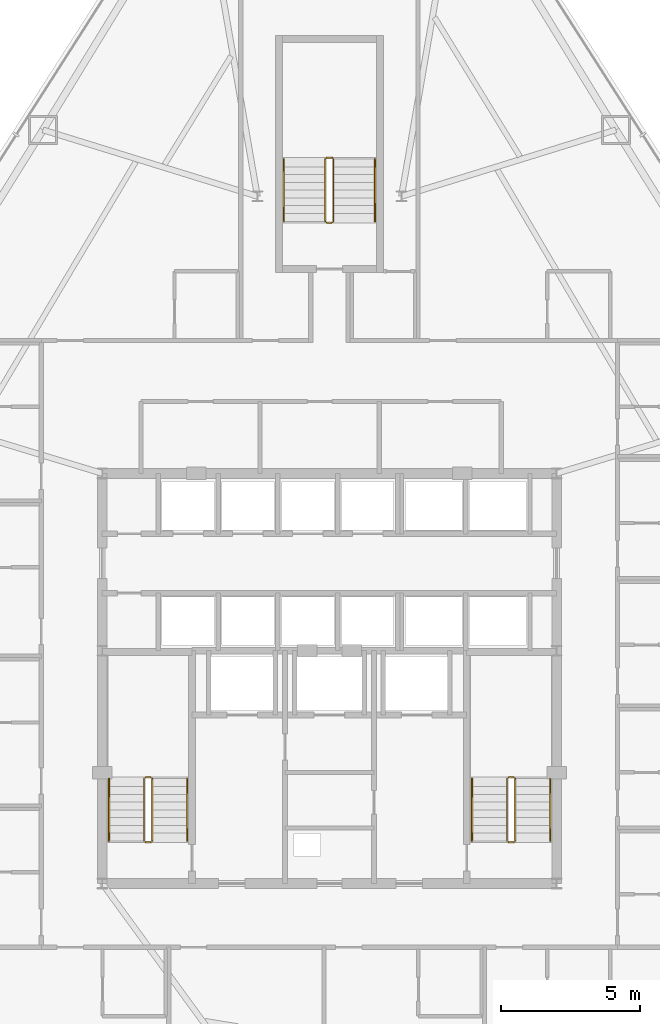
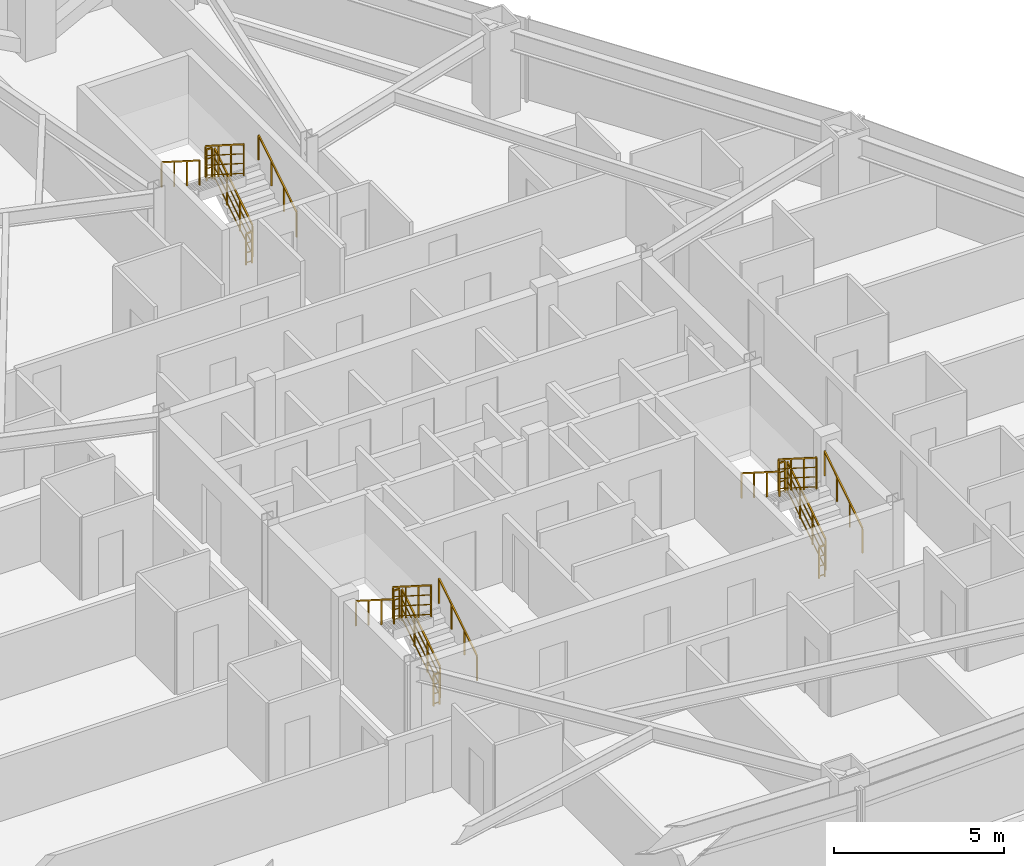
# One storey, part 13 of 13: 18 railings.
"""IFC4 building model written with IfcOpenShell, lengths in metres."""

from ifc_helpers import new_model, si_unit, direction, frame, origin, origin_2d, place, context, subcontext, project, spatial, rectangle, extrude, material, type_object, element, save


model = new_model("IFC4")

# Units and contexts
model_context = context("Model", 3, precision=1e-05, world=origin(), true_north=direction((0.0, 1.0)))
body_context = subcontext(model_context, "Body", "Model", "MODEL_VIEW")
ifc_project = project(units=[si_unit("LENGTHUNIT", "METRE"), si_unit("AREAUNIT", "SQUARE_METRE"), si_unit("VOLUMEUNIT", "CUBIC_METRE"), si_unit("PLANEANGLEUNIT", "RADIAN"), si_unit("MASSUNIT", "GRAM", prefix="KILO")], contexts=[model_context])

# Site, building, storey
site_placement = place(None, origin())
site = spatial("IfcSite", under=ifc_project, at=site_placement, CompositionType="ELEMENT")
building_placement = place(site_placement, origin())
building = spatial("IfcBuilding", under=site, at=building_placement, Name="Varakhsha Concourse Tower", CompositionType="ELEMENT")
storey_placement = place(building_placement, frame((0.0, 0.0, 83.0)))
storey = spatial("IfcBuildingStorey", under=building, at=storey_placement, Name="L23", CompositionType="ELEMENT", Elevation=83.0)

# Railings
ifc_material = material(Name="Brushed Austenitic Stainless Steel AISI 316", Category="steel")
railing_type_1 = type_object("IfcRailingType", Name="RL-STAIR-GUARD-1100", PredefinedType="GUARDRAIL", material=ifc_material)
railing_1_placement = place(storey_placement, frame((33.610107421875, 17.93994140625, 0.177734375)))
element("IfcRailing", 1, at=railing_1_placement, inside=storey, type_object=railing_type_1, Name="L23 ST1 stair guard 1", PredefinedType="GUARDRAIL", context=body_context, shape_type="SweptSolid", body=[
    extrude(rectangle(XDim=0.048095703125, YDim=0.048095703125, at=origin_2d()), frame((0.0, 0.0, 1.1259765625), z_axis=(0.0, 0.84418770128, 0.536047689118), x_axis=(-1.0, 0.0, 0.0)), (0.0, 0.0, 1.0), 2.6533203125),
    extrude(rectangle(XDim=0.028076171875, YDim=0.028076171875, at=origin_2d()), frame((0.0, 0.0, 0.080078125), z_axis=(0.0, 0.84418770128, 0.536047689118), x_axis=(-1.0, 0.0, 0.0)), (0.0, 0.0, 1.0), 2.6533203125),
    extrude(rectangle(XDim=0.028076171875, YDim=0.028076171875, at=origin_2d()), frame((0.0, 0.0, 0.43701171875), z_axis=(0.0, 0.84418770128, 0.536047689118), x_axis=(-1.0, 0.0, 0.0)), (0.0, 0.0, 1.0), 2.6533203125),
    extrude(rectangle(XDim=0.028076171875, YDim=0.028076171875, at=origin_2d()), frame((0.0, 0.0, 0.781982421875), z_axis=(0.0, 0.84418770128, 0.536047689118), x_axis=(-1.0, 0.0, 0.0)), (0.0, 0.0, 1.0), 2.6533203125),
    extrude(rectangle(XDim=0.0419921875, YDim=0.0419921875, at=origin_2d()), origin(), (0.0, 0.0, 1.0), 1.101806640625),
    extrude(rectangle(XDim=0.0419921875, YDim=0.0419921875, at=origin_2d()), frame((0.0, 0.74658203125, 0.47412109375)), (0.0, 0.0, 1.0), 1.101806640625),
    extrude(rectangle(XDim=0.0419921875, YDim=0.0419921875, at=origin_2d()), frame((0.0, 1.493408203125, 0.9482421875)), (0.0, 0.0, 1.0), 1.101806640625),
    extrude(rectangle(XDim=0.0419921875, YDim=0.0419921875, at=origin_2d()), frame((0.0, 2.239990234375, 1.42236328125)), (0.0, 0.0, 1.0), 1.101806640625),
])
railing_2_placement = place(storey_placement, frame((33.56005859375, 20.22998046875, 1.60009765625)))
element("IfcRailing", 2, at=railing_2_placement, inside=storey, type_object=railing_type_1, Name="L23 ST1 stair guard 2", PredefinedType="GUARDRAIL", context=body_context, shape_type="SweptSolid", body=[
    extrude(rectangle(XDim=0.048095703125, YDim=0.048095703125, at=origin_2d()), frame((0.0, 0.0, 1.1259765625), z_axis=(-1.0, 0.0, 0.0), x_axis=(0.0, -1.0, 0.0)), (0.0, 0.0, 1.0), 0.199951171875),
    extrude(rectangle(XDim=0.028076171875, YDim=0.028076171875, at=origin_2d()), frame((0.0, 0.0, 0.080078125), z_axis=(-1.0, 0.0, 0.0), x_axis=(0.0, -1.0, 0.0)), (0.0, 0.0, 1.0), 0.199951171875),
    extrude(rectangle(XDim=0.028076171875, YDim=0.028076171875, at=origin_2d()), frame((0.0, 0.0, 0.43701171875), z_axis=(-1.0, 0.0, 0.0), x_axis=(0.0, -1.0, 0.0)), (0.0, 0.0, 1.0), 0.199951171875),
    extrude(rectangle(XDim=0.028076171875, YDim=0.028076171875, at=origin_2d()), frame((0.0, 0.0, 0.781982421875), z_axis=(-1.0, 0.0, 0.0), x_axis=(0.0, -1.0, 0.0)), (0.0, 0.0, 1.0), 0.199951171875),
    extrude(rectangle(XDim=0.0419921875, YDim=0.0419921875, at=origin_2d()), origin(), (0.0, 0.0, 1.0), 1.101806640625),
    extrude(rectangle(XDim=0.0419921875, YDim=0.0419921875, at=origin_2d()), frame((-0.199951171875, 0.0, 0.0)), (0.0, 0.0, 1.0), 1.101806640625),
])
railing_3_placement = place(storey_placement, frame((33.31005859375, 20.179931640625, 1.77783203125)))
element("IfcRailing", 3, at=railing_3_placement, inside=storey, type_object=railing_type_1, Name="L23 ST1 stair guard 3", PredefinedType="GUARDRAIL", context=body_context, shape_type="SweptSolid", body=[
    extrude(rectangle(XDim=0.048095703125, YDim=0.048095703125, at=origin_2d()), frame((0.0, 0.0, 1.1259765625), z_axis=(0.0, -0.8442293374, 0.53598211339), x_axis=(1.0, 0.0, 0.0)), (0.0, 0.0, 1.0), 2.6533203125),
    extrude(rectangle(XDim=0.028076171875, YDim=0.028076171875, at=origin_2d()), frame((0.0, 0.0, 0.080078125), z_axis=(0.0, -0.8442293374, 0.53598211339), x_axis=(1.0, 0.0, 0.0)), (0.0, 0.0, 1.0), 2.6533203125),
    extrude(rectangle(XDim=0.028076171875, YDim=0.028076171875, at=origin_2d()), frame((0.0, 0.0, 0.43701171875), z_axis=(0.0, -0.8442293374, 0.53598211339), x_axis=(1.0, 0.0, 0.0)), (0.0, 0.0, 1.0), 2.6533203125),
    extrude(rectangle(XDim=0.028076171875, YDim=0.028076171875, at=origin_2d()), frame((0.0, 0.0, 0.781982421875), z_axis=(0.0, -0.8442293374, 0.53598211339), x_axis=(1.0, 0.0, 0.0)), (0.0, 0.0, 1.0), 2.6533203125),
    extrude(rectangle(XDim=0.0419921875, YDim=0.0419921875, at=origin_2d()), origin(), (0.0, 0.0, 1.0), 1.101806640625),
    extrude(rectangle(XDim=0.0419921875, YDim=0.0419921875, at=origin_2d()), frame((0.0, -0.74658203125, 0.47412109375)), (0.0, 0.0, 1.0), 1.101806640625),
    extrude(rectangle(XDim=0.0419921875, YDim=0.0419921875, at=origin_2d()), frame((0.0, -1.493408203125, 0.947998046875)), (0.0, 0.0, 1.0), 1.101806640625),
    extrude(rectangle(XDim=0.0419921875, YDim=0.0419921875, at=origin_2d()), frame((0.0, -2.239990234375, 1.422119140625)), (0.0, 0.0, 1.0), 1.101806640625),
])
railing_4_placement = place(storey_placement, frame((33.56005859375, 17.889892578125, 0.0)))
element("IfcRailing", 4, at=railing_4_placement, inside=storey, type_object=railing_type_1, Name="L23 ST1 stair guard 4", PredefinedType="GUARDRAIL", context=body_context, shape_type="SweptSolid", body=[
    extrude(rectangle(XDim=0.048095703125, YDim=0.048095703125, at=origin_2d()), frame((0.0, 0.0, 1.1259765625), z_axis=(-1.0, 0.0, 0.0), x_axis=(0.0, -1.0, 0.0)), (0.0, 0.0, 1.0), 0.199951171875),
    extrude(rectangle(XDim=0.028076171875, YDim=0.028076171875, at=origin_2d()), frame((0.0, 0.0, 0.080078125), z_axis=(-1.0, 0.0, 0.0), x_axis=(0.0, -1.0, 0.0)), (0.0, 0.0, 1.0), 0.199951171875),
    extrude(rectangle(XDim=0.028076171875, YDim=0.028076171875, at=origin_2d()), frame((0.0, 0.0, 0.43701171875), z_axis=(-1.0, 0.0, 0.0), x_axis=(0.0, -1.0, 0.0)), (0.0, 0.0, 1.0), 0.199951171875),
    extrude(rectangle(XDim=0.028076171875, YDim=0.028076171875, at=origin_2d()), frame((0.0, 0.0, 0.781982421875), z_axis=(-1.0, 0.0, 0.0), x_axis=(0.0, -1.0, 0.0)), (0.0, 0.0, 1.0), 0.199951171875),
    extrude(rectangle(XDim=0.0419921875, YDim=0.0419921875, at=origin_2d()), origin(), (0.0, 0.0, 1.0), 1.101806640625),
    extrude(rectangle(XDim=0.0419921875, YDim=0.0419921875, at=origin_2d()), frame((-0.199951171875, 0.0, 0.0)), (0.0, 0.0, 1.0), 1.101806640625),
])
railing_5_placement = place(storey_placement, frame((46.7099609375, 17.93994140625, 0.177734375)))
element("IfcRailing", 5, at=railing_5_placement, inside=storey, type_object=railing_type_1, Name="L23 ST2 stair guard 1", PredefinedType="GUARDRAIL", context=body_context, shape_type="SweptSolid", body=[
    extrude(rectangle(XDim=0.048095703125, YDim=0.048095703125, at=origin_2d()), frame((0.0, 0.0, 1.1259765625), z_axis=(0.0, 0.84418770128, 0.536047689118), x_axis=(-1.0, 0.0, 0.0)), (0.0, 0.0, 1.0), 2.6533203125),
    extrude(rectangle(XDim=0.028076171875, YDim=0.028076171875, at=origin_2d()), frame((0.0, 0.0, 0.080078125), z_axis=(0.0, 0.84418770128, 0.536047689118), x_axis=(-1.0, 0.0, 0.0)), (0.0, 0.0, 1.0), 2.6533203125),
    extrude(rectangle(XDim=0.028076171875, YDim=0.028076171875, at=origin_2d()), frame((0.0, 0.0, 0.43701171875), z_axis=(0.0, 0.84418770128, 0.536047689118), x_axis=(-1.0, 0.0, 0.0)), (0.0, 0.0, 1.0), 2.6533203125),
    extrude(rectangle(XDim=0.028076171875, YDim=0.028076171875, at=origin_2d()), frame((0.0, 0.0, 0.781982421875), z_axis=(0.0, 0.84418770128, 0.536047689118), x_axis=(-1.0, 0.0, 0.0)), (0.0, 0.0, 1.0), 2.6533203125),
    extrude(rectangle(XDim=0.0419921875, YDim=0.0419921875, at=origin_2d()), origin(), (0.0, 0.0, 1.0), 1.101806640625),
    extrude(rectangle(XDim=0.0419921875, YDim=0.0419921875, at=origin_2d()), frame((0.0, 0.74658203125, 0.47412109375)), (0.0, 0.0, 1.0), 1.101806640625),
    extrude(rectangle(XDim=0.0419921875, YDim=0.0419921875, at=origin_2d()), frame((0.0, 1.493408203125, 0.9482421875)), (0.0, 0.0, 1.0), 1.101806640625),
    extrude(rectangle(XDim=0.0419921875, YDim=0.0419921875, at=origin_2d()), frame((0.0, 2.239990234375, 1.42236328125)), (0.0, 0.0, 1.0), 1.101806640625),
])
railing_6_placement = place(storey_placement, frame((46.659912109375, 20.22998046875, 1.60009765625)))
element("IfcRailing", 6, at=railing_6_placement, inside=storey, type_object=railing_type_1, Name="L23 ST2 stair guard 2", PredefinedType="GUARDRAIL", context=body_context, shape_type="SweptSolid", body=[
    extrude(rectangle(XDim=0.048095703125, YDim=0.048095703125, at=origin_2d()), frame((0.0, 0.0, 1.1259765625), z_axis=(-1.0, 0.0, 0.0), x_axis=(0.0, -1.0, 0.0)), (0.0, 0.0, 1.0), 0.199951171875),
    extrude(rectangle(XDim=0.028076171875, YDim=0.028076171875, at=origin_2d()), frame((0.0, 0.0, 0.080078125), z_axis=(-1.0, 0.0, 0.0), x_axis=(0.0, -1.0, 0.0)), (0.0, 0.0, 1.0), 0.199951171875),
    extrude(rectangle(XDim=0.028076171875, YDim=0.028076171875, at=origin_2d()), frame((0.0, 0.0, 0.43701171875), z_axis=(-1.0, 0.0, 0.0), x_axis=(0.0, -1.0, 0.0)), (0.0, 0.0, 1.0), 0.199951171875),
    extrude(rectangle(XDim=0.028076171875, YDim=0.028076171875, at=origin_2d()), frame((0.0, 0.0, 0.781982421875), z_axis=(-1.0, 0.0, 0.0), x_axis=(0.0, -1.0, 0.0)), (0.0, 0.0, 1.0), 0.199951171875),
    extrude(rectangle(XDim=0.0419921875, YDim=0.0419921875, at=origin_2d()), origin(), (0.0, 0.0, 1.0), 1.101806640625),
    extrude(rectangle(XDim=0.0419921875, YDim=0.0419921875, at=origin_2d()), frame((-0.199951171875, 0.0, 0.0)), (0.0, 0.0, 1.0), 1.101806640625),
])
railing_7_placement = place(storey_placement, frame((46.409912109375, 20.179931640625, 1.77783203125)))
element("IfcRailing", 7, at=railing_7_placement, inside=storey, type_object=railing_type_1, Name="L23 ST2 stair guard 3", PredefinedType="GUARDRAIL", context=body_context, shape_type="SweptSolid", body=[
    extrude(rectangle(XDim=0.048095703125, YDim=0.048095703125, at=origin_2d()), frame((0.0, 0.0, 1.1259765625), z_axis=(0.0, -0.8442293374, 0.53598211339), x_axis=(1.0, 0.0, 0.0)), (0.0, 0.0, 1.0), 2.6533203125),
    extrude(rectangle(XDim=0.028076171875, YDim=0.028076171875, at=origin_2d()), frame((0.0, 0.0, 0.080078125), z_axis=(0.0, -0.8442293374, 0.53598211339), x_axis=(1.0, 0.0, 0.0)), (0.0, 0.0, 1.0), 2.6533203125),
    extrude(rectangle(XDim=0.028076171875, YDim=0.028076171875, at=origin_2d()), frame((0.0, 0.0, 0.43701171875), z_axis=(0.0, -0.8442293374, 0.53598211339), x_axis=(1.0, 0.0, 0.0)), (0.0, 0.0, 1.0), 2.6533203125),
    extrude(rectangle(XDim=0.028076171875, YDim=0.028076171875, at=origin_2d()), frame((0.0, 0.0, 0.781982421875), z_axis=(0.0, -0.8442293374, 0.53598211339), x_axis=(1.0, 0.0, 0.0)), (0.0, 0.0, 1.0), 2.6533203125),
    extrude(rectangle(XDim=0.0419921875, YDim=0.0419921875, at=origin_2d()), origin(), (0.0, 0.0, 1.0), 1.101806640625),
    extrude(rectangle(XDim=0.0419921875, YDim=0.0419921875, at=origin_2d()), frame((0.0, -0.74658203125, 0.47412109375)), (0.0, 0.0, 1.0), 1.101806640625),
    extrude(rectangle(XDim=0.0419921875, YDim=0.0419921875, at=origin_2d()), frame((0.0, -1.493408203125, 0.947998046875)), (0.0, 0.0, 1.0), 1.101806640625),
    extrude(rectangle(XDim=0.0419921875, YDim=0.0419921875, at=origin_2d()), frame((0.0, -2.239990234375, 1.422119140625)), (0.0, 0.0, 1.0), 1.101806640625),
])
railing_8_placement = place(storey_placement, frame((46.659912109375, 17.889892578125, 0.0)))
element("IfcRailing", 8, at=railing_8_placement, inside=storey, type_object=railing_type_1, Name="L23 ST2 stair guard 4", PredefinedType="GUARDRAIL", context=body_context, shape_type="SweptSolid", body=[
    extrude(rectangle(XDim=0.048095703125, YDim=0.048095703125, at=origin_2d()), frame((0.0, 0.0, 1.1259765625), z_axis=(-1.0, 0.0, 0.0), x_axis=(0.0, -1.0, 0.0)), (0.0, 0.0, 1.0), 0.199951171875),
    extrude(rectangle(XDim=0.028076171875, YDim=0.028076171875, at=origin_2d()), frame((0.0, 0.0, 0.080078125), z_axis=(-1.0, 0.0, 0.0), x_axis=(0.0, -1.0, 0.0)), (0.0, 0.0, 1.0), 0.199951171875),
    extrude(rectangle(XDim=0.028076171875, YDim=0.028076171875, at=origin_2d()), frame((0.0, 0.0, 0.43701171875), z_axis=(-1.0, 0.0, 0.0), x_axis=(0.0, -1.0, 0.0)), (0.0, 0.0, 1.0), 0.199951171875),
    extrude(rectangle(XDim=0.028076171875, YDim=0.028076171875, at=origin_2d()), frame((0.0, 0.0, 0.781982421875), z_axis=(-1.0, 0.0, 0.0), x_axis=(0.0, -1.0, 0.0)), (0.0, 0.0, 1.0), 0.199951171875),
    extrude(rectangle(XDim=0.0419921875, YDim=0.0419921875, at=origin_2d()), origin(), (0.0, 0.0, 1.0), 1.101806640625),
    extrude(rectangle(XDim=0.0419921875, YDim=0.0419921875, at=origin_2d()), frame((-0.199951171875, 0.0, 0.0)), (0.0, 0.0, 1.0), 1.101806640625),
])
railing_9_placement = place(storey_placement, frame((40.14990234375, 40.300048828125, 0.177734375)))
element("IfcRailing", 9, at=railing_9_placement, inside=storey, type_object=railing_type_1, Name="L23 ST5 stair guard 1", PredefinedType="GUARDRAIL", context=body_context, shape_type="SweptSolid", body=[
    extrude(rectangle(XDim=0.048095703125, YDim=0.048095703125, at=origin_2d()), frame((0.0, 0.0, 1.1259765625), z_axis=(0.0, 0.84418770128, 0.536047689118), x_axis=(-1.0, 0.0, 0.0)), (0.0, 0.0, 1.0), 2.6533203125),
    extrude(rectangle(XDim=0.028076171875, YDim=0.028076171875, at=origin_2d()), frame((0.0, 0.0, 0.080078125), z_axis=(0.0, 0.84418770128, 0.536047689118), x_axis=(-1.0, 0.0, 0.0)), (0.0, 0.0, 1.0), 2.6533203125),
    extrude(rectangle(XDim=0.028076171875, YDim=0.028076171875, at=origin_2d()), frame((0.0, 0.0, 0.43701171875), z_axis=(0.0, 0.84418770128, 0.536047689118), x_axis=(-1.0, 0.0, 0.0)), (0.0, 0.0, 1.0), 2.6533203125),
    extrude(rectangle(XDim=0.028076171875, YDim=0.028076171875, at=origin_2d()), frame((0.0, 0.0, 0.781982421875), z_axis=(0.0, 0.84418770128, 0.536047689118), x_axis=(-1.0, 0.0, 0.0)), (0.0, 0.0, 1.0), 2.6533203125),
    extrude(rectangle(XDim=0.0419921875, YDim=0.0419921875, at=origin_2d()), origin(), (0.0, 0.0, 1.0), 1.101806640625),
    extrude(rectangle(XDim=0.0419921875, YDim=0.0419921875, at=origin_2d()), frame((0.0, 0.74658203125, 0.47412109375)), (0.0, 0.0, 1.0), 1.101806640625),
    extrude(rectangle(XDim=0.0419921875, YDim=0.0419921875, at=origin_2d()), frame((0.0, 1.493408203125, 0.9482421875)), (0.0, 0.0, 1.0), 1.101806640625),
    extrude(rectangle(XDim=0.0419921875, YDim=0.0419921875, at=origin_2d()), frame((0.0, 2.239990234375, 1.42236328125)), (0.0, 0.0, 1.0), 1.101806640625),
])
railing_10_placement = place(storey_placement, frame((40.10009765625, 42.590087890625, 1.60009765625)))
element("IfcRailing", 10, at=railing_10_placement, inside=storey, type_object=railing_type_1, Name="L23 ST5 stair guard 2", PredefinedType="GUARDRAIL", context=body_context, shape_type="SweptSolid", body=[
    extrude(rectangle(XDim=0.048095703125, YDim=0.048095703125, at=origin_2d()), frame((0.0, 0.0, 1.1259765625), z_axis=(-1.0, 0.0, 0.0), x_axis=(0.0, -1.0, 0.0)), (0.0, 0.0, 1.0), 0.2001953125),
    extrude(rectangle(XDim=0.028076171875, YDim=0.028076171875, at=origin_2d()), frame((0.0, 0.0, 0.080078125), z_axis=(-1.0, 0.0, 0.0), x_axis=(0.0, -1.0, 0.0)), (0.0, 0.0, 1.0), 0.2001953125),
    extrude(rectangle(XDim=0.028076171875, YDim=0.028076171875, at=origin_2d()), frame((0.0, 0.0, 0.43701171875), z_axis=(-1.0, 0.0, 0.0), x_axis=(0.0, -1.0, 0.0)), (0.0, 0.0, 1.0), 0.2001953125),
    extrude(rectangle(XDim=0.028076171875, YDim=0.028076171875, at=origin_2d()), frame((0.0, 0.0, 0.781982421875), z_axis=(-1.0, 0.0, 0.0), x_axis=(0.0, -1.0, 0.0)), (0.0, 0.0, 1.0), 0.2001953125),
    extrude(rectangle(XDim=0.0419921875, YDim=0.0419921875, at=origin_2d()), origin(), (0.0, 0.0, 1.0), 1.101806640625),
    extrude(rectangle(XDim=0.0419921875, YDim=0.0419921875, at=origin_2d()), frame((-0.2001953125, 0.0, 0.0)), (0.0, 0.0, 1.0), 1.101806640625),
])
railing_11_placement = place(storey_placement, frame((39.85009765625, 42.5400390625, 1.77783203125)))
element("IfcRailing", 11, at=railing_11_placement, inside=storey, type_object=railing_type_1, Name="L23 ST5 stair guard 3", PredefinedType="GUARDRAIL", context=body_context, shape_type="SweptSolid", body=[
    extrude(rectangle(XDim=0.048095703125, YDim=0.048095703125, at=origin_2d()), frame((0.0, 0.0, 1.1259765625), z_axis=(0.0, -0.8442293374, 0.53598211339), x_axis=(1.0, 0.0, 0.0)), (0.0, 0.0, 1.0), 2.6533203125),
    extrude(rectangle(XDim=0.028076171875, YDim=0.028076171875, at=origin_2d()), frame((0.0, 0.0, 0.080078125), z_axis=(0.0, -0.8442293374, 0.53598211339), x_axis=(1.0, 0.0, 0.0)), (0.0, 0.0, 1.0), 2.6533203125),
    extrude(rectangle(XDim=0.028076171875, YDim=0.028076171875, at=origin_2d()), frame((0.0, 0.0, 0.43701171875), z_axis=(0.0, -0.8442293374, 0.53598211339), x_axis=(1.0, 0.0, 0.0)), (0.0, 0.0, 1.0), 2.6533203125),
    extrude(rectangle(XDim=0.028076171875, YDim=0.028076171875, at=origin_2d()), frame((0.0, 0.0, 0.781982421875), z_axis=(0.0, -0.8442293374, 0.53598211339), x_axis=(1.0, 0.0, 0.0)), (0.0, 0.0, 1.0), 2.6533203125),
    extrude(rectangle(XDim=0.0419921875, YDim=0.0419921875, at=origin_2d()), origin(), (0.0, 0.0, 1.0), 1.101806640625),
    extrude(rectangle(XDim=0.0419921875, YDim=0.0419921875, at=origin_2d()), frame((0.0, -0.74658203125, 0.47412109375)), (0.0, 0.0, 1.0), 1.101806640625),
    extrude(rectangle(XDim=0.0419921875, YDim=0.0419921875, at=origin_2d()), frame((0.0, -1.493408203125, 0.947998046875)), (0.0, 0.0, 1.0), 1.101806640625),
    extrude(rectangle(XDim=0.0419921875, YDim=0.0419921875, at=origin_2d()), frame((0.0, -2.239990234375, 1.422119140625)), (0.0, 0.0, 1.0), 1.101806640625),
])
railing_12_placement = place(storey_placement, frame((40.10009765625, 40.25, 0.0)))
element("IfcRailing", 12, at=railing_12_placement, inside=storey, type_object=railing_type_1, Name="L23 ST5 stair guard 4", PredefinedType="GUARDRAIL", context=body_context, shape_type="SweptSolid", body=[
    extrude(rectangle(XDim=0.048095703125, YDim=0.048095703125, at=origin_2d()), frame((0.0, 0.0, 1.1259765625), z_axis=(-1.0, 0.0, 0.0), x_axis=(0.0, -1.0, 0.0)), (0.0, 0.0, 1.0), 0.2001953125),
    extrude(rectangle(XDim=0.028076171875, YDim=0.028076171875, at=origin_2d()), frame((0.0, 0.0, 0.080078125), z_axis=(-1.0, 0.0, 0.0), x_axis=(0.0, -1.0, 0.0)), (0.0, 0.0, 1.0), 0.2001953125),
    extrude(rectangle(XDim=0.028076171875, YDim=0.028076171875, at=origin_2d()), frame((0.0, 0.0, 0.43701171875), z_axis=(-1.0, 0.0, 0.0), x_axis=(0.0, -1.0, 0.0)), (0.0, 0.0, 1.0), 0.2001953125),
    extrude(rectangle(XDim=0.028076171875, YDim=0.028076171875, at=origin_2d()), frame((0.0, 0.0, 0.781982421875), z_axis=(-1.0, 0.0, 0.0), x_axis=(0.0, -1.0, 0.0)), (0.0, 0.0, 1.0), 0.2001953125),
    extrude(rectangle(XDim=0.0419921875, YDim=0.0419921875, at=origin_2d()), origin(), (0.0, 0.0, 1.0), 1.101806640625),
    extrude(rectangle(XDim=0.0419921875, YDim=0.0419921875, at=origin_2d()), frame((-0.2001953125, 0.0, 0.0)), (0.0, 0.0, 1.0), 1.101806640625),
])
railing_type_2 = type_object("IfcRailingType", Name="RL-STAIR-RAIL-915", PredefinedType="HANDRAIL", material=ifc_material)
railing_13_placement = place(storey_placement, frame((34.8701171875, 17.93994140625, 0.35546875)))
element("IfcRailing", 13, at=railing_13_placement, inside=storey, type_object=railing_type_2, Name="L23 ST1 stair handrail 1", PredefinedType="HANDRAIL", context=body_context, shape_type="SweptSolid", body=[
    extrude(rectangle(XDim=0.048095703125, YDim=0.048095703125, at=origin_2d()), frame((0.0, 0.0, 0.89111328125), z_axis=(0.0, 0.84418770128, 0.536047689118), x_axis=(-1.0, 0.0, 0.0)), (0.0, 0.0, 1.0), 2.6533203125),
    extrude(rectangle(XDim=0.0419921875, YDim=0.0419921875, at=origin_2d()), origin(), (0.0, 0.0, 1.0), 0.866943359375),
    extrude(rectangle(XDim=0.0419921875, YDim=0.0419921875, at=origin_2d()), frame((0.0, 0.74658203125, 0.47412109375)), (0.0, 0.0, 1.0), 0.866943359375),
    extrude(rectangle(XDim=0.0419921875, YDim=0.0419921875, at=origin_2d()), frame((0.0, 1.493408203125, 0.9482421875)), (0.0, 0.0, 1.0), 0.866943359375),
    extrude(rectangle(XDim=0.0419921875, YDim=0.0419921875, at=origin_2d()), frame((0.0, 2.239990234375, 1.42236328125)), (0.0, 0.0, 1.0), 0.866943359375),
])
railing_14_placement = place(storey_placement, frame((32.050048828125, 20.179931640625, 1.95556640625)))
element("IfcRailing", 14, at=railing_14_placement, inside=storey, type_object=railing_type_2, Name="L23 ST1 stair handrail 2", PredefinedType="HANDRAIL", context=body_context, shape_type="SweptSolid", body=[
    extrude(rectangle(XDim=0.048095703125, YDim=0.048095703125, at=origin_2d()), frame((0.0, 0.0, 0.89111328125), z_axis=(0.0, -0.8442293374, 0.53598211339), x_axis=(1.0, 0.0, 0.0)), (0.0, 0.0, 1.0), 2.6533203125),
    extrude(rectangle(XDim=0.0419921875, YDim=0.0419921875, at=origin_2d()), origin(), (0.0, 0.0, 1.0), 0.866943359375),
    extrude(rectangle(XDim=0.0419921875, YDim=0.0419921875, at=origin_2d()), frame((0.0, -0.74658203125, 0.47412109375)), (0.0, 0.0, 1.0), 0.866943359375),
    extrude(rectangle(XDim=0.0419921875, YDim=0.0419921875, at=origin_2d()), frame((0.0, -1.493408203125, 0.947998046875)), (0.0, 0.0, 1.0), 0.866943359375),
    extrude(rectangle(XDim=0.0419921875, YDim=0.0419921875, at=origin_2d()), frame((0.0, -2.239990234375, 1.422119140625)), (0.0, 0.0, 1.0), 0.866943359375),
])
railing_15_placement = place(storey_placement, frame((47.969970703125, 17.93994140625, 0.35546875)))
element("IfcRailing", 15, at=railing_15_placement, inside=storey, type_object=railing_type_2, Name="L23 ST2 stair handrail 1", PredefinedType="HANDRAIL", context=body_context, shape_type="SweptSolid", body=[
    extrude(rectangle(XDim=0.048095703125, YDim=0.048095703125, at=origin_2d()), frame((0.0, 0.0, 0.89111328125), z_axis=(0.0, 0.84418770128, 0.536047689118), x_axis=(-1.0, 0.0, 0.0)), (0.0, 0.0, 1.0), 2.6533203125),
    extrude(rectangle(XDim=0.0419921875, YDim=0.0419921875, at=origin_2d()), origin(), (0.0, 0.0, 1.0), 0.866943359375),
    extrude(rectangle(XDim=0.0419921875, YDim=0.0419921875, at=origin_2d()), frame((0.0, 0.74658203125, 0.47412109375)), (0.0, 0.0, 1.0), 0.866943359375),
    extrude(rectangle(XDim=0.0419921875, YDim=0.0419921875, at=origin_2d()), frame((0.0, 1.493408203125, 0.9482421875)), (0.0, 0.0, 1.0), 0.866943359375),
    extrude(rectangle(XDim=0.0419921875, YDim=0.0419921875, at=origin_2d()), frame((0.0, 2.239990234375, 1.42236328125)), (0.0, 0.0, 1.0), 0.866943359375),
])
railing_16_placement = place(storey_placement, frame((45.14990234375, 20.179931640625, 1.95556640625)))
element("IfcRailing", 16, at=railing_16_placement, inside=storey, type_object=railing_type_2, Name="L23 ST2 stair handrail 2", PredefinedType="HANDRAIL", context=body_context, shape_type="SweptSolid", body=[
    extrude(rectangle(XDim=0.048095703125, YDim=0.048095703125, at=origin_2d()), frame((0.0, 0.0, 0.89111328125), z_axis=(0.0, -0.8442293374, 0.53598211339), x_axis=(1.0, 0.0, 0.0)), (0.0, 0.0, 1.0), 2.6533203125),
    extrude(rectangle(XDim=0.0419921875, YDim=0.0419921875, at=origin_2d()), origin(), (0.0, 0.0, 1.0), 0.866943359375),
    extrude(rectangle(XDim=0.0419921875, YDim=0.0419921875, at=origin_2d()), frame((0.0, -0.74658203125, 0.47412109375)), (0.0, 0.0, 1.0), 0.866943359375),
    extrude(rectangle(XDim=0.0419921875, YDim=0.0419921875, at=origin_2d()), frame((0.0, -1.493408203125, 0.947998046875)), (0.0, 0.0, 1.0), 0.866943359375),
    extrude(rectangle(XDim=0.0419921875, YDim=0.0419921875, at=origin_2d()), frame((0.0, -2.239990234375, 1.422119140625)), (0.0, 0.0, 1.0), 0.866943359375),
])
railing_17_placement = place(storey_placement, frame((41.64990234375, 40.300048828125, 0.35546875)))
element("IfcRailing", 17, at=railing_17_placement, inside=storey, type_object=railing_type_2, Name="L23 ST5 stair handrail 1", PredefinedType="HANDRAIL", context=body_context, shape_type="SweptSolid", body=[
    extrude(rectangle(XDim=0.048095703125, YDim=0.048095703125, at=origin_2d()), frame((0.0, 0.0, 0.89111328125), z_axis=(0.0, 0.84418770128, 0.536047689118), x_axis=(-1.0, 0.0, 0.0)), (0.0, 0.0, 1.0), 2.6533203125),
    extrude(rectangle(XDim=0.0419921875, YDim=0.0419921875, at=origin_2d()), origin(), (0.0, 0.0, 1.0), 0.866943359375),
    extrude(rectangle(XDim=0.0419921875, YDim=0.0419921875, at=origin_2d()), frame((0.0, 0.74658203125, 0.47412109375)), (0.0, 0.0, 1.0), 0.866943359375),
    extrude(rectangle(XDim=0.0419921875, YDim=0.0419921875, at=origin_2d()), frame((0.0, 1.493408203125, 0.9482421875)), (0.0, 0.0, 1.0), 0.866943359375),
    extrude(rectangle(XDim=0.0419921875, YDim=0.0419921875, at=origin_2d()), frame((0.0, 2.239990234375, 1.42236328125)), (0.0, 0.0, 1.0), 0.866943359375),
])
railing_18_placement = place(storey_placement, frame((38.35009765625, 42.5400390625, 1.95556640625)))
element("IfcRailing", 18, at=railing_18_placement, inside=storey, type_object=railing_type_2, Name="L23 ST5 stair handrail 2", PredefinedType="HANDRAIL", context=body_context, shape_type="SweptSolid", body=[
    extrude(rectangle(XDim=0.048095703125, YDim=0.048095703125, at=origin_2d()), frame((0.0, 0.0, 0.89111328125), z_axis=(0.0, -0.8442293374, 0.53598211339), x_axis=(1.0, 0.0, 0.0)), (0.0, 0.0, 1.0), 2.6533203125),
    extrude(rectangle(XDim=0.0419921875, YDim=0.0419921875, at=origin_2d()), origin(), (0.0, 0.0, 1.0), 0.866943359375),
    extrude(rectangle(XDim=0.0419921875, YDim=0.0419921875, at=origin_2d()), frame((0.0, -0.74658203125, 0.47412109375)), (0.0, 0.0, 1.0), 0.866943359375),
    extrude(rectangle(XDim=0.0419921875, YDim=0.0419921875, at=origin_2d()), frame((0.0, -1.493408203125, 0.947998046875)), (0.0, 0.0, 1.0), 0.866943359375),
    extrude(rectangle(XDim=0.0419921875, YDim=0.0419921875, at=origin_2d()), frame((0.0, -2.239990234375, 1.422119140625)), (0.0, 0.0, 1.0), 0.866943359375),
])

save(model, "model.ifc")
